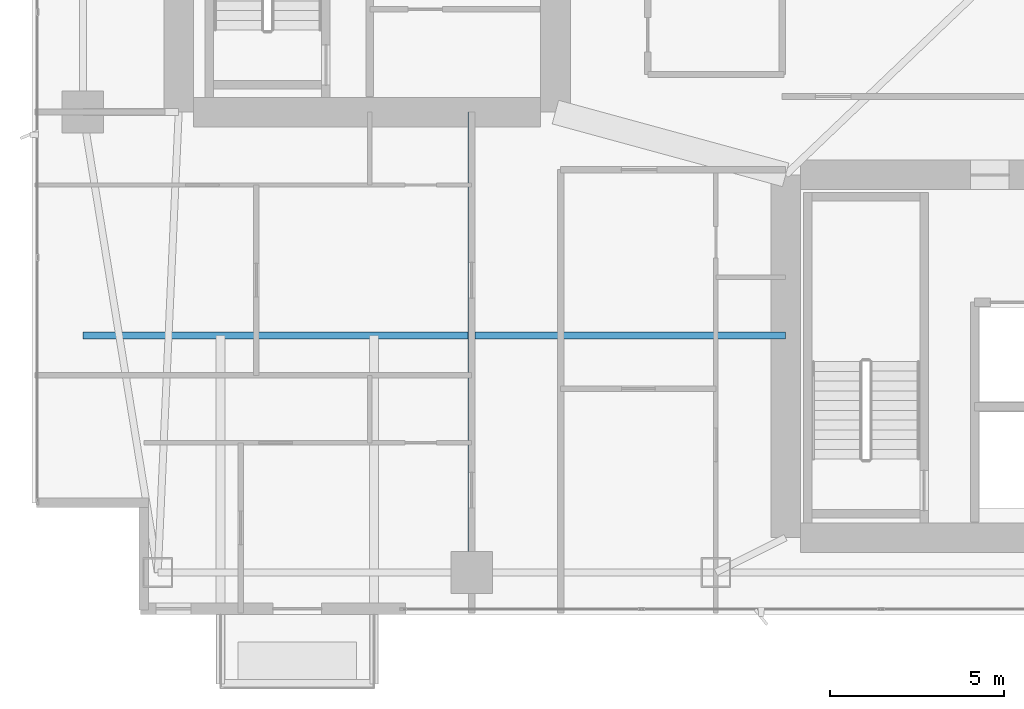
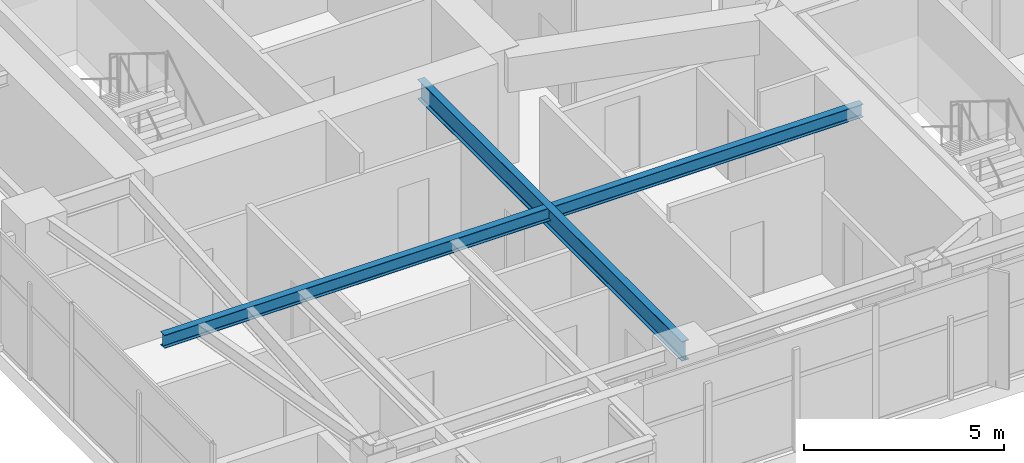
# One storey, part 5 of 30: 2 beams.
"""IFC4 building model written with IfcOpenShell, lengths in metres."""

from ifc_helpers import new_model, si_unit, direction, frame, origin, origin_2d, place, context, subcontext, project, spatial, i_section, extrude, material, material_profile, profile_set, type_object, element, save


model = new_model("IFC4")

# Units and contexts
model_context = context("Model", 3, precision=1e-05, world=origin(), true_north=direction((0.0, 1.0)))
body_context = subcontext(model_context, "Body", "Model", "MODEL_VIEW")
ifc_project = project(units=[si_unit("LENGTHUNIT", "METRE"), si_unit("AREAUNIT", "SQUARE_METRE"), si_unit("VOLUMEUNIT", "CUBIC_METRE"), si_unit("PLANEANGLEUNIT", "RADIAN"), si_unit("MASSUNIT", "GRAM", prefix="KILO")], contexts=[model_context])

# Site, building, storey
site_placement = place(None, origin())
site = spatial("IfcSite", under=ifc_project, at=site_placement, CompositionType="ELEMENT")
building_placement = place(site_placement, origin())
building = spatial("IfcBuilding", under=site, at=building_placement, Name="Calvorn Quay Hotel", CompositionType="ELEMENT")
storey_placement = place(building_placement, frame((0.0, 0.0, 191.300048828125)))
storey = spatial("IfcBuildingStorey", under=building, at=storey_placement, Name="L47", CompositionType="ELEMENT", Elevation=191.300048828125)

# Beams
ifc_material_1 = material(Name="Steel Q355B", Category="steel")
ifc_material_profile_1 = material_profile(ifc_material_1, i_section(OverallWidth=0.199951171875, OverallDepth=0.60009765625, WebThickness=0.010986328125, FlangeThickness=0.01708984375, FilletRadius=0.01806640625, at=origin_2d()), Name="HN600x200x11x17")
ifc_profile_set_1 = profile_set([ifc_material_profile_1], Name="Steel Q355B")
beam_type_1 = type_object("IfcBeamType", Name="BM-GIRD-TYP", PredefinedType="BEAM", material=ifc_profile_set_1)
beam_1_placement = place(storey_placement, frame((12.60009765625, 3.60009765625, 3.239990234375), z_axis=(0.0, 1.0, 0.0), x_axis=(-1.0, 0.0, 0.0)))
element("IfcBeam", 1, at=beam_1_placement, inside=storey, type_object=beam_type_1, Name="Beam BG-L47-S1", PredefinedType="BEAM", context=body_context, shape_type="SweptSolid", body=[
    extrude(i_section(OverallWidth=0.199951171875, OverallDepth=0.60009765625, WebThickness=0.010986328125, FlangeThickness=0.01708984375, FilletRadius=0.01806640625, at=origin_2d()), origin(), (0.0, 0.0, 1.0), 13.199951171875),
])
ifc_material_2 = material(Name="Steel Q355B", Category="steel")
ifc_material_profile_2 = material_profile(ifc_material_2, i_section(OverallWidth=0.199951171875, OverallDepth=0.39990234375, WebThickness=0.008056640625, FlangeThickness=0.012939453125, FilletRadius=0.01611328125, at=origin_2d()), Name="HN400x200x8x13")
ifc_profile_set_2 = profile_set([ifc_material_profile_2], Name="Steel Q355B")
beam_type_2 = type_object("IfcBeamType", Name="BM-JOIST-TYP", PredefinedType="JOIST", material=ifc_profile_set_2)
beam_2_placement = place(storey_placement, frame((1.449951171875, 10.39990234375, 3.33984375), z_axis=(1.0, 0.0, 0.0), x_axis=(0.0, 1.0, 0.0)))
element("IfcBeam", 2, at=beam_2_placement, inside=storey, type_object=beam_type_2, Name="Beam BJ-L47-W1", PredefinedType="JOIST", context=body_context, shape_type="SweptSolid", body=[
    extrude(i_section(OverallWidth=0.199951171875, OverallDepth=0.39990234375, WebThickness=0.008056640625, FlangeThickness=0.012939453125, FilletRadius=0.01611328125, at=origin_2d()), origin(), (0.0, 0.0, 1.0), 20.150146484375),
])

save(model, "model.ifc")
